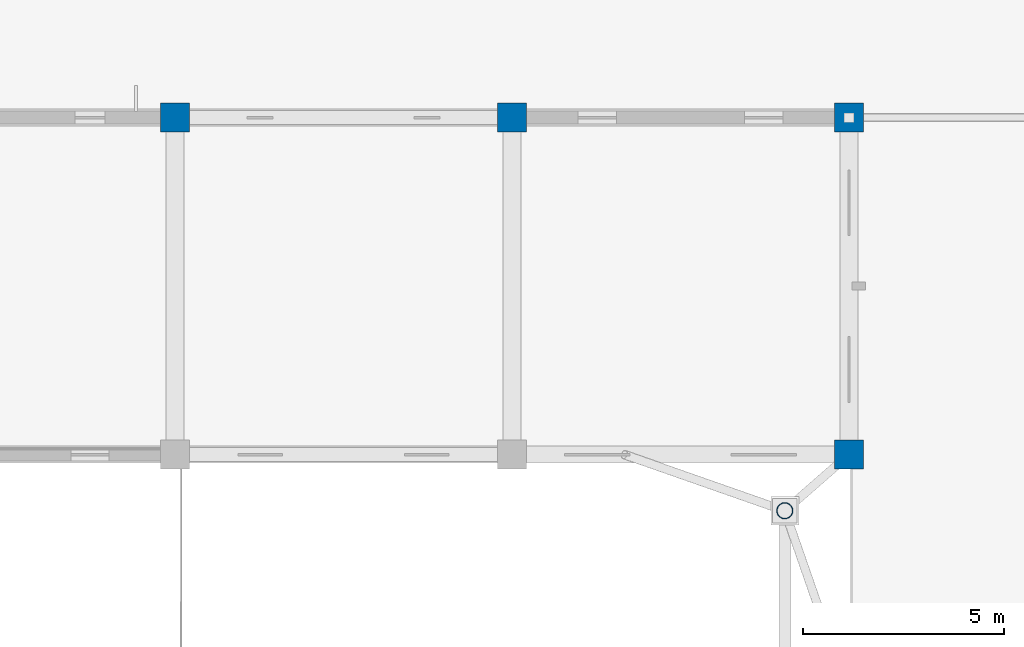
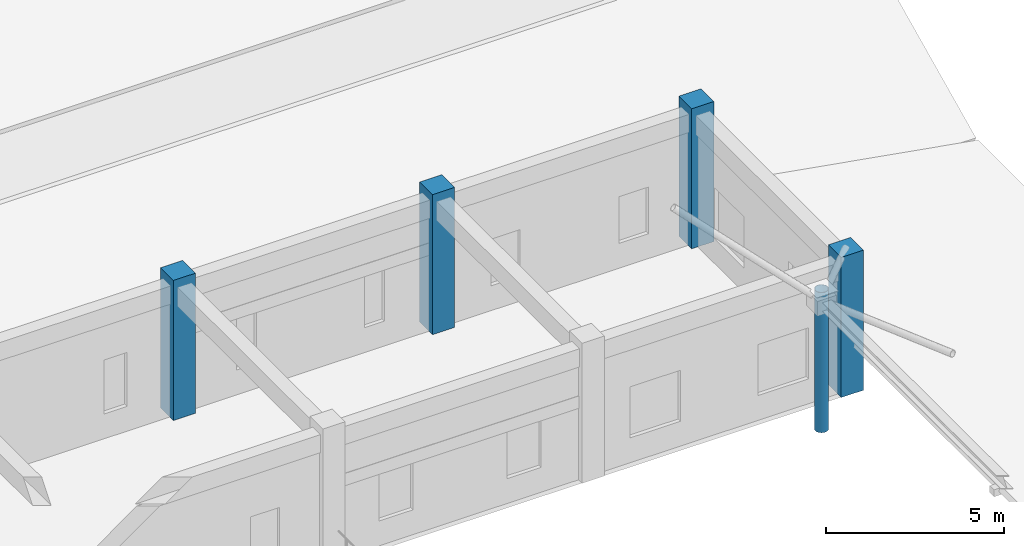
# One storey, part 15 of 158: 5 columns.
"""IFC4 building model written with IfcOpenShell, lengths in metres."""

from ifc_helpers import new_model, si_unit, direction, frame, origin, origin_2d, place, context, subcontext, project, spatial, rectangle, hollow_circle, extrude, material, material_profile, profile_set, type_object, element, save


model = new_model("IFC4")

# Units and contexts
model_context = context("Model", 3, precision=1e-05, world=origin(), true_north=direction((0.0, 1.0)))
body_context = subcontext(model_context, "Body", "Model", "MODEL_VIEW")
ifc_project = project(units=[si_unit("LENGTHUNIT", "METRE"), si_unit("AREAUNIT", "SQUARE_METRE"), si_unit("VOLUMEUNIT", "CUBIC_METRE"), si_unit("PLANEANGLEUNIT", "RADIAN"), si_unit("MASSUNIT", "GRAM", prefix="KILO")], contexts=[model_context])

# Site, building, storey
site_placement = place(None, origin())
site = spatial("IfcSite", under=ifc_project, at=site_placement, CompositionType="ELEMENT")
building_placement = place(site_placement, origin())
building = spatial("IfcBuilding", under=site, at=building_placement, Name="Trelvath General Hospital", CompositionType="ELEMENT")
storey_placement = place(building_placement, frame((0.0, 0.0, 8.10009765625)))
storey = spatial("IfcBuildingStorey", under=building, at=storey_placement, Name="L02", CompositionType="ELEMENT", Elevation=8.10009765625)

# Columns
ifc_material_1 = material(Name="Concrete C40/50", Category="concrete")
ifc_material_profile_1 = material_profile(ifc_material_1, rectangle(XDim=0.719970703125, YDim=0.719970703125, at=origin_2d()), Name="RC720x720")
ifc_profile_set_1 = profile_set([ifc_material_profile_1], Name="Concrete C40/50")
column_type_1 = type_object("IfcColumnType", Name="Column RC720", PredefinedType="COLUMN", material=ifc_profile_set_1)
for number, where, z_axis, x_axis, name in (
    (1, (159.60009765625, 75.60009765625, 0.0), (0.0, 0.0, 1.0), (1.0, 0.0, 0.0), "Column C-20J L02"),
    (2, (168.0, 75.60009765625, 0.0), (0.0, 0.0, 1.0), (1.0, 0.0, 0.0), "Column C-21J L02"),
    (3, (176.39990234375, 67.199951171875, 0.0), (0.0, 0.0, 1.0), (1.0, 0.0, 0.0), "Column C-22I L02"),
    (4, (176.39990234375, 75.60009765625, 0.0), (0.0, 0.0, 1.0), (1.0, 0.0, 0.0), "Column C-22J L02"),
):
    element("IfcColumn", number, at=place(storey_placement, frame(where, z_axis=z_axis, x_axis=x_axis)), inside=storey, type_object=column_type_1, Name=name, PredefinedType="COLUMN", context=body_context, shape_type="SweptSolid", body=[
        extrude(rectangle(XDim=0.719970703125, YDim=0.719970703125, at=origin_2d()), origin(), (0.0, 0.0, 1.0), 4.7998046875),
    ])
ifc_material_2 = material(Name="Steel S355", Category="steel")
ifc_material_profile_2 = material_profile(ifc_material_2, hollow_circle(Radius=0.203125, WallThickness=0.01416015625, at=origin_2d()), Name="CHS406.4x14.2")
ifc_profile_set_2 = profile_set([ifc_material_profile_2], Name="Steel S355")
column_type_2 = type_object("IfcColumnType", Name="TreeColumn CHS406", PredefinedType="COLUMN", material=ifc_profile_set_2)
column_placement = place(storey_placement, frame((174.800048828125, 65.800048828125, 0.0), z_axis=(0.0, 0.0, 1.0), x_axis=(1.0, 0.0, 0.0)))
element("IfcColumn", 5, at=column_placement, inside=storey, type_object=column_type_2, Name="Space Frame Tree Column TC-08 L02", PredefinedType="COLUMN", context=body_context, shape_type="SweptSolid", body=[
    extrude(hollow_circle(Radius=0.203125, WallThickness=0.01416015625, at=origin_2d()), origin(), (0.0, 0.0, 1.0), 4.7998046875),
])

save(model, "model.ifc")
